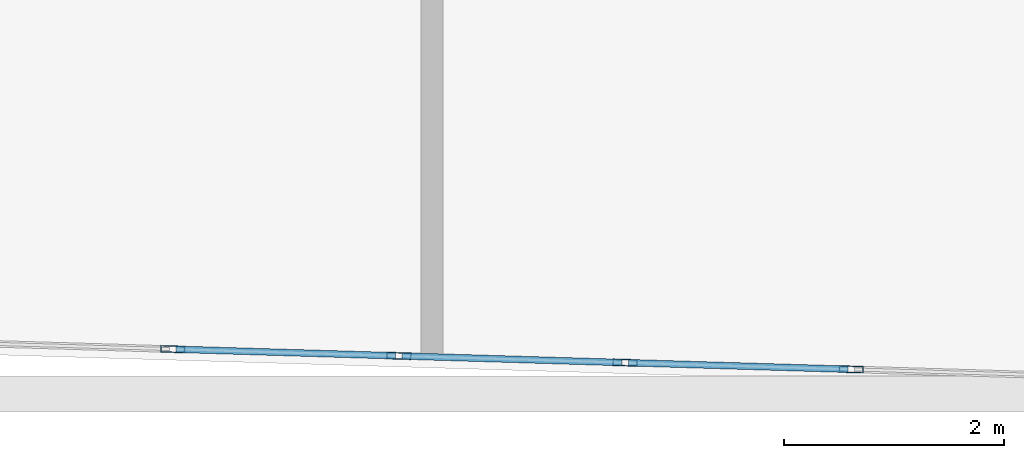
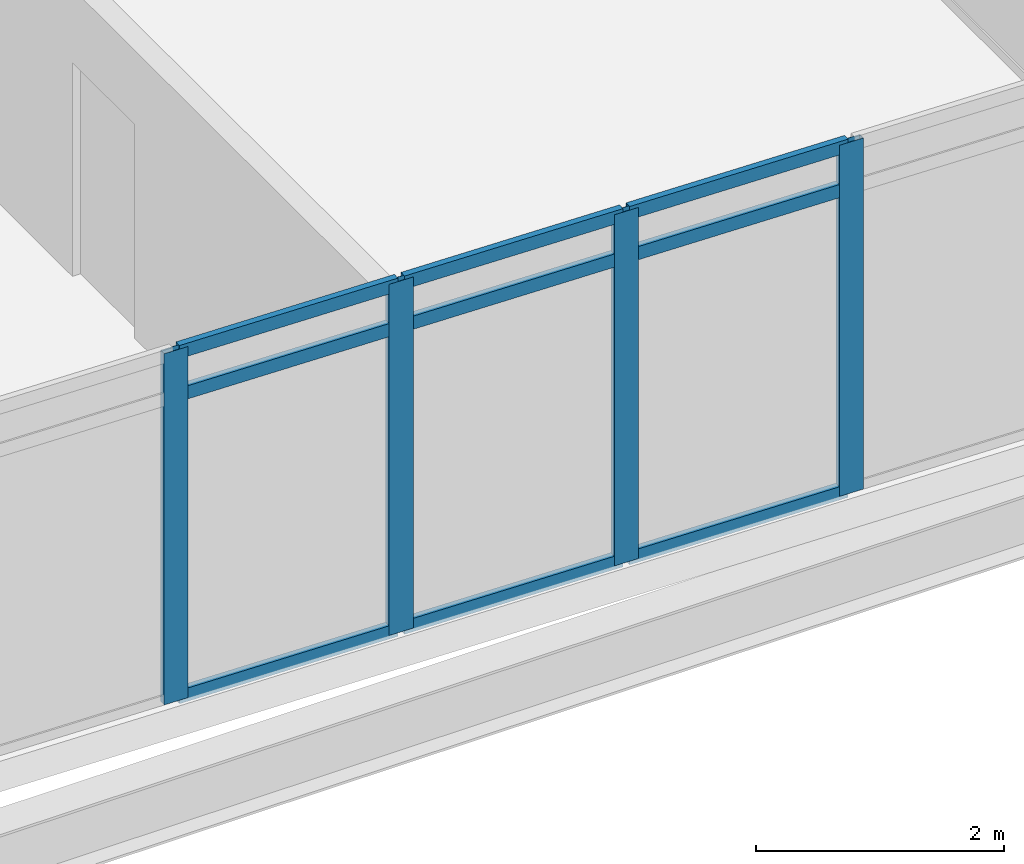
# One storey, part 7 of 36: 13 members, 1 element without a shape of its own.
"""IFC4 building model written with IfcOpenShell, lengths in metres."""

from ifc_helpers import new_model, si_unit, direction, frame, origin, origin_2d, place, context, subcontext, project, spatial, hollow_rectangle, extrude, material, material_profile, profile_set, type_object, element, aggregate, save


model = new_model("IFC4")

# Units and contexts
model_context = context("Model", 3, precision=1e-05, world=origin(), true_north=direction((0.0, 1.0)))
body_context = subcontext(model_context, "Body", "Model", "MODEL_VIEW")
ifc_project = project(units=[si_unit("LENGTHUNIT", "METRE"), si_unit("AREAUNIT", "SQUARE_METRE"), si_unit("VOLUMEUNIT", "CUBIC_METRE"), si_unit("PLANEANGLEUNIT", "RADIAN"), si_unit("MASSUNIT", "GRAM", prefix="KILO")], contexts=[model_context])

# Site, building, storey
site_placement = place(None, origin())
site = spatial("IfcSite", under=ifc_project, at=site_placement, CompositionType="ELEMENT")
building_placement = place(site_placement, origin())
building = spatial("IfcBuilding", under=site, at=building_placement, Name="Ostrander Bayou Hotel Tower", CompositionType="ELEMENT")
storey_placement = place(building_placement, frame((0.0, 0.0, 138.5)))
storey = spatial("IfcBuildingStorey", under=building, at=storey_placement, Name="L34", CompositionType="ELEMENT", Elevation=138.5)

# Curtain wall, members
ifc_material_1 = material(Name="Aluminium and clear glass", Category="aluminium")
curtain_wall_type = type_object("IfcCurtainWallType", Name="CW-BAR glazed wall", PredefinedType="NOTDEFINED", material=ifc_material_1)
curtain_wall_placement = place(storey_placement, origin())
curtain_wall = element("IfcCurtainWall", 1, at=curtain_wall_placement, inside=storey, type_object=curtain_wall_type, Name="CW-BAR L34:SB3S:T", PredefinedType="NOTDEFINED")
ifc_material_2 = material(Name="Aluminium", Category="aluminium")
ifc_material_profile_1 = material_profile(ifc_material_2, hollow_rectangle(XDim=0.06005859375, YDim=0.219970703125, WallThickness=0.00390625, at=origin_2d()))
ifc_profile_set_1 = profile_set([ifc_material_profile_1], Name="Aluminium")
member_type_1 = type_object("IfcMemberType", Name="CW-BR mullion 60 x 220 mm", PredefinedType="MULLION", material=ifc_profile_set_1)
member_1_placement = place(storey_placement, frame((3.084716796875, -31.041748046875, 0.0), z_axis=(0.0, 0.0, 1.0), x_axis=(0.029746242041, 0.999557482631, 0.0)))
member_1 = element("IfcMember", 2, at=member_1_placement, type_object=member_type_1, Name="CW-BAR mullion 9", PredefinedType="MULLION", context=body_context, shape_type="SweptSolid", body=[
    extrude(hollow_rectangle(XDim=0.06005859375, YDim=0.219970703125, WallThickness=0.00390625, at=origin_2d()), origin(), (0.0, 0.0, 1.0), 3.449951171875),
])
member_2_placement = place(storey_placement, frame((5.14111328125, -31.10302734375, 0.0), z_axis=(0.0, 0.0, 1.0), x_axis=(0.029746242041, 0.999557482631, 0.0)))
member_2 = element("IfcMember", 3, at=member_2_placement, type_object=member_type_1, Name="CW-BAR mullion 10", PredefinedType="MULLION", context=body_context, shape_type="SweptSolid", body=[
    extrude(hollow_rectangle(XDim=0.06005859375, YDim=0.219970703125, WallThickness=0.00390625, at=origin_2d()), origin(), (0.0, 0.0, 1.0), 3.449951171875),
])
member_3_placement = place(storey_placement, frame((7.19775390625, -31.164306640625, 0.0), z_axis=(0.0, 0.0, 1.0), x_axis=(0.029746242041, 0.999557482631, 0.0)))
member_3 = element("IfcMember", 4, at=member_3_placement, type_object=member_type_1, Name="CW-BAR mullion 11", PredefinedType="MULLION", context=body_context, shape_type="SweptSolid", body=[
    extrude(hollow_rectangle(XDim=0.06005859375, YDim=0.219970703125, WallThickness=0.00390625, at=origin_2d()), origin(), (0.0, 0.0, 1.0), 3.449951171875),
])
member_4_placement = place(storey_placement, frame((9.254150390625, -31.225341796875, 0.0), z_axis=(0.0, 0.0, 1.0), x_axis=(0.029746242041, 0.999557482631, 0.0)))
member_4 = element("IfcMember", 5, at=member_4_placement, type_object=member_type_1, Name="CW-BAR mullion 12", PredefinedType="MULLION", context=body_context, shape_type="SweptSolid", body=[
    extrude(hollow_rectangle(XDim=0.06005859375, YDim=0.219970703125, WallThickness=0.00390625, at=origin_2d()), origin(), (0.0, 0.0, 1.0), 3.449951171875),
])
ifc_material_3 = material(Name="Aluminium", Category="aluminium")
ifc_material_profile_2 = material_profile(ifc_material_3, hollow_rectangle(XDim=0.06005859375, YDim=0.1298828125, WallThickness=0.00390625, at=origin_2d()))
ifc_profile_set_2 = profile_set([ifc_material_profile_2], Name="Aluminium")
member_type_2 = type_object("IfcMemberType", Name="CW-BR transom 60 x 130 mm", PredefinedType="USERDEFINED", material=ifc_profile_set_2)
member_5_placement = place(storey_placement, frame((3.11474609375, -31.042724609375, 0.030029296875), z_axis=(0.999558835181, -0.029700757758, 0.0), x_axis=(0.029700757758, 0.999558835181, 0.0)))
member_5 = element("IfcMember", 6, at=member_5_placement, type_object=member_type_2, Name="CW-BAR transom 9.1", ObjectType="TRANSOM", PredefinedType="USERDEFINED", context=body_context, shape_type="SweptSolid", body=[
    extrude(hollow_rectangle(XDim=0.06005859375, YDim=0.1298828125, WallThickness=0.00390625, at=origin_2d()), origin(), (0.0, 0.0, 1.0), 1.99755859375),
])
member_6_placement = place(storey_placement, frame((3.11474609375, -31.042724609375, 3.0), z_axis=(0.999558835181, -0.029700757758, 0.0), x_axis=(0.029700757758, 0.999558835181, 0.0)))
member_6 = element("IfcMember", 7, at=member_6_placement, type_object=member_type_2, Name="CW-BAR transom 9.2", ObjectType="TRANSOM", PredefinedType="USERDEFINED", context=body_context, shape_type="SweptSolid", body=[
    extrude(hollow_rectangle(XDim=0.06005859375, YDim=0.1298828125, WallThickness=0.00390625, at=origin_2d()), origin(), (0.0, 0.0, 1.0), 1.99755859375),
])
member_7_placement = place(storey_placement, frame((3.11474609375, -31.042724609375, 3.419921875), z_axis=(0.999558835181, -0.029700757758, 0.0), x_axis=(0.029700757758, 0.999558835181, 0.0)))
member_7 = element("IfcMember", 8, at=member_7_placement, type_object=member_type_2, Name="CW-BAR transom 9.3", ObjectType="TRANSOM", PredefinedType="USERDEFINED", context=body_context, shape_type="SweptSolid", body=[
    extrude(hollow_rectangle(XDim=0.06005859375, YDim=0.1298828125, WallThickness=0.00390625, at=origin_2d()), origin(), (0.0, 0.0, 1.0), 1.99755859375),
])
member_8_placement = place(storey_placement, frame((5.171142578125, -31.10400390625, 0.030029296875), z_axis=(0.999558835181, -0.029700757758, 0.0), x_axis=(0.029700757758, 0.999558835181, 0.0)))
member_8 = element("IfcMember", 9, at=member_8_placement, type_object=member_type_2, Name="CW-BAR transom 10.1", ObjectType="TRANSOM", PredefinedType="USERDEFINED", context=body_context, shape_type="SweptSolid", body=[
    extrude(hollow_rectangle(XDim=0.06005859375, YDim=0.1298828125, WallThickness=0.00390625, at=origin_2d()), origin(), (0.0, 0.0, 1.0), 1.99755859375),
])
member_9_placement = place(storey_placement, frame((5.171142578125, -31.10400390625, 3.0), z_axis=(0.999558835181, -0.029700757758, 0.0), x_axis=(0.029700757758, 0.999558835181, 0.0)))
member_9 = element("IfcMember", 10, at=member_9_placement, type_object=member_type_2, Name="CW-BAR transom 10.2", ObjectType="TRANSOM", PredefinedType="USERDEFINED", context=body_context, shape_type="SweptSolid", body=[
    extrude(hollow_rectangle(XDim=0.06005859375, YDim=0.1298828125, WallThickness=0.00390625, at=origin_2d()), origin(), (0.0, 0.0, 1.0), 1.99755859375),
])
member_10_placement = place(storey_placement, frame((5.171142578125, -31.10400390625, 3.419921875), z_axis=(0.999558835181, -0.029700757758, 0.0), x_axis=(0.029700757758, 0.999558835181, 0.0)))
member_10 = element("IfcMember", 11, at=member_10_placement, type_object=member_type_2, Name="CW-BAR transom 10.3", ObjectType="TRANSOM", PredefinedType="USERDEFINED", context=body_context, shape_type="SweptSolid", body=[
    extrude(hollow_rectangle(XDim=0.06005859375, YDim=0.1298828125, WallThickness=0.00390625, at=origin_2d()), origin(), (0.0, 0.0, 1.0), 1.99755859375),
])
member_11_placement = place(storey_placement, frame((7.227783203125, -31.1650390625, 0.030029296875), z_axis=(0.999555090424, -0.029826518535, 0.0), x_axis=(0.029826518535, 0.999555090424, 0.0)))
member_11 = element("IfcMember", 12, at=member_11_placement, type_object=member_type_2, Name="CW-BAR transom 11.1", ObjectType="TRANSOM", PredefinedType="USERDEFINED", context=body_context, shape_type="SweptSolid", body=[
    extrude(hollow_rectangle(XDim=0.06005859375, YDim=0.1298828125, WallThickness=0.00390625, at=origin_2d()), origin(), (0.0, 0.0, 1.0), 1.997314453125),
])
member_12_placement = place(storey_placement, frame((7.227783203125, -31.1650390625, 3.0), z_axis=(0.999555090424, -0.029826518535, 0.0), x_axis=(0.029826518535, 0.999555090424, 0.0)))
member_12 = element("IfcMember", 13, at=member_12_placement, type_object=member_type_2, Name="CW-BAR transom 11.2", ObjectType="TRANSOM", PredefinedType="USERDEFINED", context=body_context, shape_type="SweptSolid", body=[
    extrude(hollow_rectangle(XDim=0.06005859375, YDim=0.1298828125, WallThickness=0.00390625, at=origin_2d()), origin(), (0.0, 0.0, 1.0), 1.997314453125),
])
member_13_placement = place(storey_placement, frame((7.227783203125, -31.1650390625, 3.419921875), z_axis=(0.999555090424, -0.029826518535, 0.0), x_axis=(0.029826518535, 0.999555090424, 0.0)))
member_13 = element("IfcMember", 14, at=member_13_placement, type_object=member_type_2, Name="CW-BAR transom 11.3", ObjectType="TRANSOM", PredefinedType="USERDEFINED", context=body_context, shape_type="SweptSolid", body=[
    extrude(hollow_rectangle(XDim=0.06005859375, YDim=0.1298828125, WallThickness=0.00390625, at=origin_2d()), origin(), (0.0, 0.0, 1.0), 1.997314453125),
])
aggregate(curtain_wall, [member_1, member_2, member_3, member_4, member_5, member_6, member_7, member_8, member_9, member_10, member_11, member_12, member_13])

save(model, "model.ifc")
